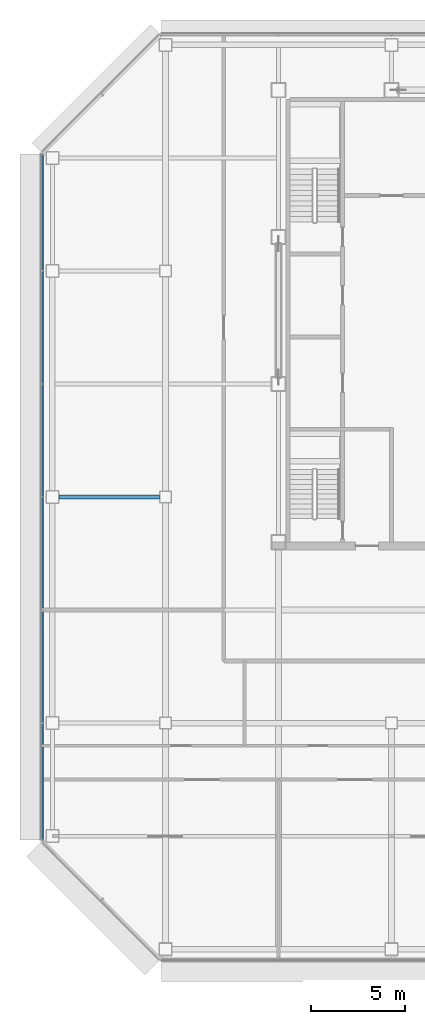
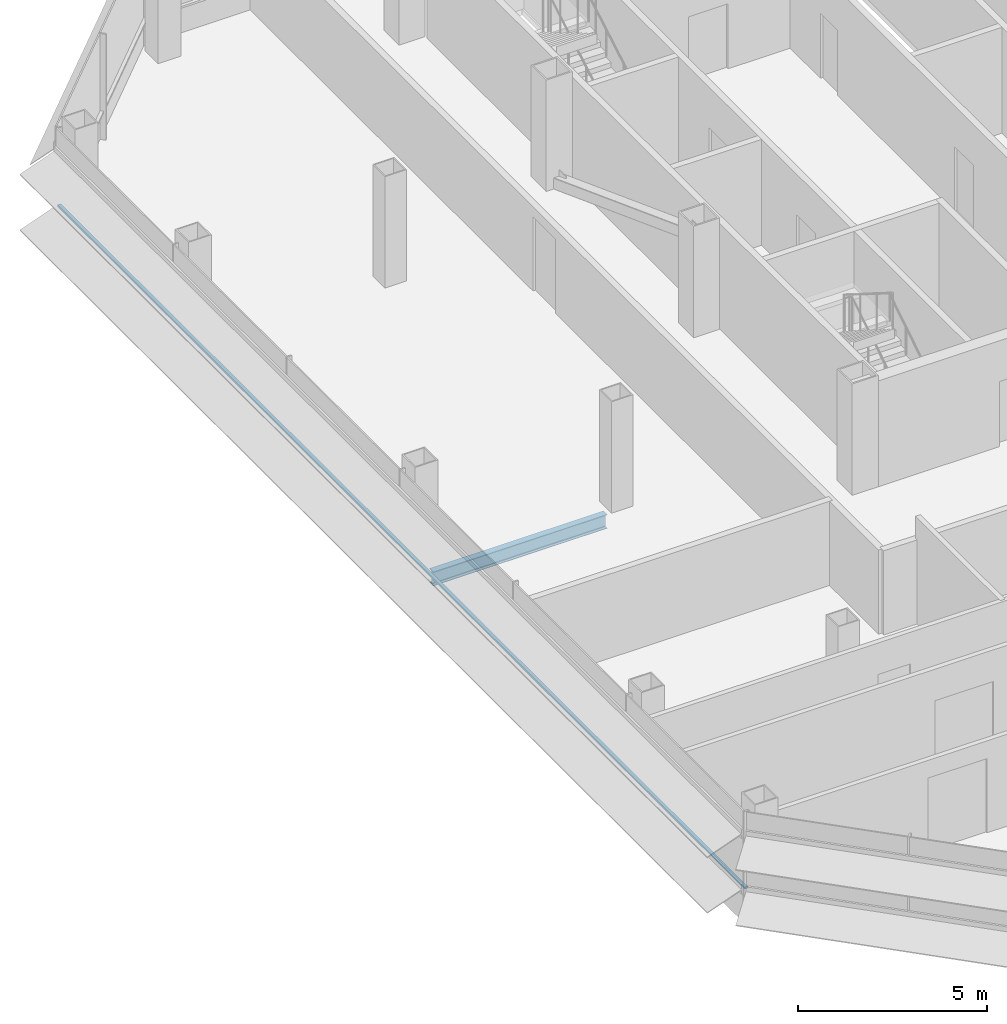
# One storey, part 5 of 24: 1 beam, 1 member, 1 element without a shape of its own.
"""IFC4 building model written with IfcOpenShell, lengths in metres."""

import ifcopenshell
import ifcopenshell.guid

model = None  # the IFC model being written
_history = None  # IfcOwnerHistory: only IFC2X3 demands one
_inside = {}  # id of a spatial element -> (the spatial element, [elements in it])
_under = {}  # id of a project, library or spatial element -> (it, [spatial elements below it])
_declared = {}  # id of a project -> (the project, [libraries it declares])
_typed = {}  # id of a type object -> (the type object, [elements of that type])
_made_of = {}  # id of a material, layer set ... -> (it, [elements and type objects made of it])


def new_model(schema):
    """Start an empty IFC model of exactly this schema.

    Asked for "IFC4X3", IfcOpenShell would pick the latest addendum, in which some entities
    have other attributes; the version numbers below select the first issue.
    IFC2X3 requires an IfcOwnerHistory on every rooted entity: one is made here for all.
    """
    global model, _history
    if schema == "IFC4X3":
        model = ifcopenshell.file(schema_version=(4, 3, 0, 0))
    else:
        model = ifcopenshell.file(schema=schema)
    _inside.clear()
    _under.clear()
    _declared.clear()
    _typed.clear()
    _made_of.clear()
    _history = None
    if model.schema == "IFC2X3":
        org = make("IfcOrganization", Name="unknown")
        user = make(
            "IfcPersonAndOrganization",
            ThePerson=make("IfcPerson", FamilyName="unknown"),
            TheOrganization=org,
        )
        app = make(
            "IfcApplication",
            ApplicationDeveloper=org,
            Version="unknown",
            ApplicationFullName="unknown",
            ApplicationIdentifier="unknown",
        )
        _history = make(
            "IfcOwnerHistory",
            OwningUser=user,
            OwningApplication=app,
            ChangeAction="ADDED",
            CreationDate=0,
        )
    return model


def make(cls, **values):
    """One entity of the class cls with the attributes given. An attribute that is None is left unset."""
    return model.create_entity(
        cls, **{name: value for name, value in values.items() if value is not None}
    )


def rooted(cls, **values):
    """An entity with a GlobalId (a new one), such as an element, a storey or a relation."""
    return make(cls, GlobalId=ifcopenshell.guid.new(), OwnerHistory=_history, **values)


def si_unit(unit_type, name, prefix=None):
    """IfcSIUnit, for example si_unit("LENGTHUNIT", "METRE", prefix="MILLI")."""
    return make("IfcSIUnit", UnitType=unit_type, Prefix=prefix, Name=name)


def assignment(units):
    """IfcUnitAssignment: the units of a project."""
    return None if units is None else make("IfcUnitAssignment", Units=units)


def point(xyz):
    """IfcCartesianPoint."""
    return None if xyz is None else make("IfcCartesianPoint", Coordinates=xyz)


def direction(xyz):
    """IfcDirection."""
    return None if xyz is None else make("IfcDirection", DirectionRatios=xyz)


def frame(location, z_axis=None, x_axis=None):
    """IfcAxis2Placement3D, a coordinate frame: its origin and axes. An axis left out is left unset."""
    return make(
        "IfcAxis2Placement3D",
        Location=point(location),
        Axis=direction(z_axis),
        RefDirection=direction(x_axis),
    )


def frame_2d(location, x_axis=None):
    """IfcAxis2Placement2D, a coordinate frame in the plane: its origin and x axis."""
    return make(
        "IfcAxis2Placement2D", Location=point(location), RefDirection=direction(x_axis)
    )


def origin():
    """The frame at (0, 0, 0) with its axes left unset."""
    return frame((0.0, 0.0, 0.0))


def origin_2d():
    """The frame at (0, 0) in the plane with its x axis left unset."""
    return frame_2d((0.0, 0.0))


def place(relative_to, where):
    """IfcLocalPlacement: puts the frame where relative to a parent placement (None: the world)."""
    return make(
        "IfcLocalPlacement", PlacementRelTo=relative_to, RelativePlacement=where
    )


def context(
    kind, dimensions, precision=None, world=None, true_north=None, identifier=None
):
    """IfcGeometricRepresentationContext, for example the 3D "Model" context."""
    return make(
        "IfcGeometricRepresentationContext",
        ContextIdentifier=identifier,
        ContextType=kind,
        CoordinateSpaceDimension=dimensions,
        Precision=precision,
        WorldCoordinateSystem=world,
        TrueNorth=true_north,
    )


def subcontext(parent, identifier, kind, view, scale=None):
    """IfcGeometricRepresentationSubContext, for example "Body" below "Model"."""
    return make(
        "IfcGeometricRepresentationSubContext",
        ContextIdentifier=identifier,
        ContextType=kind,
        ParentContext=parent,
        TargetScale=scale,
        TargetView=view,
    )


def project(units=None, contexts=None):
    """IfcProject with its units and contexts."""
    return rooted(
        "IfcProject",
        Name="project",
        RepresentationContexts=contexts,
        UnitsInContext=assignment(units),
    )


def spatial(cls, under=None, at=None, **own):
    """A site, building, storey or space (cls), placed at a placement, below another one or the project."""
    s = rooted(cls, ObjectPlacement=at, **own)
    if under is not None:
        _under.setdefault(under.id(), (under, []))[1].append(s)
    return s


def profile(cls, at=None, kind="AREA", **sizes):
    """A parametric profile (cls). Its sizes go by their IFC names, for example OverallWidth=200.0."""
    return make(cls, ProfileType=kind, Position=at, **sizes)


def rectangle(**sizes):
    """IfcRectangleProfileDef."""
    return profile("IfcRectangleProfileDef", **sizes)


def i_section(**sizes):
    """IfcIShapeProfileDef."""
    return profile("IfcIShapeProfileDef", **sizes)


def extrude(swept, where, along, depth):
    """IfcExtrudedAreaSolid: the profile swept, set in the frame where, extruded along a direction by depth."""
    return make(
        "IfcExtrudedAreaSolid",
        SweptArea=swept,
        Position=where,
        ExtrudedDirection=direction(along),
        Depth=depth,
    )


def shape(context_of_items, identifier, shape_type, items):
    """IfcShapeRepresentation: the items that make up one representation, for example the "Body"."""
    return make(
        "IfcShapeRepresentation",
        ContextOfItems=context_of_items,
        RepresentationIdentifier=identifier,
        RepresentationType=shape_type,
        Items=items,
    )


def material(Name=None, Category=None):
    """IfcMaterial."""
    return make("IfcMaterial", Name=Name, Category=Category)


def material_profile(
    of_material, cross_section, Name=None, Category=None, Priority=None
):
    """IfcMaterialProfile: a cross section and its material."""
    return make(
        "IfcMaterialProfile",
        Name=Name,
        Material=of_material,
        Profile=cross_section,
        Priority=Priority,
        Category=Category,
    )


def profile_set(profiles, Name=None, composite=None):
    """IfcMaterialProfileSet."""
    return make(
        "IfcMaterialProfileSet",
        Name=Name,
        MaterialProfiles=profiles,
        CompositeProfile=composite,
    )


def made_of(thing, what):
    """Note that an element or type object is made of a material, layer set ...; save() writes the relation."""
    if what is not None:
        _made_of.setdefault(what.id(), (what, []))[1].append(thing)
    return thing


def type_object(cls, material=None, **own):
    """A type object (cls), such as IfcWallType, which elements share."""
    return made_of(rooted(cls, **own), material)


def element(
    cls,
    number,
    at=None,
    inside=None,
    cuts=None,
    type_object=None,
    material=None,
    context=None,
    identifier="Body",
    shape_type=None,
    held_by="IfcProductDefinitionShape",
    body=None,
    shapes=None,
    **own,
):
    """One element of the class cls, such as IfcWall. Its Tag is "e" and its number.

    at: its placement. inside: the storey or other place that contains it. cuts: it is an
    opening in that element (IfcRelVoidsElement). A single representation is given by context,
    identifier, shape_type and body (its items); several are given by shapes. held_by: the class
    of the entity that holds the representations. save() writes the other relations.
    """
    e = rooted(cls, Tag="e%d" % number, ObjectPlacement=at, **own)
    if body is not None:
        shapes = [shape(context, identifier, shape_type, body)]
    if shapes is not None:
        e.Representation = make(held_by, Representations=shapes)
    if inside is not None:
        _inside.setdefault(inside.id(), (inside, []))[1].append(e)
    if cuts is not None:
        rooted(
            "IfcRelVoidsElement", RelatingBuildingElement=cuts, RelatedOpeningElement=e
        )
    if type_object is not None:
        _typed.setdefault(type_object.id(), (type_object, []))[1].append(e)
    return made_of(e, material)


def aggregate(whole, parts):
    """IfcRelAggregates: a whole, such as a stair, and the parts it consists of."""
    return rooted("IfcRelAggregates", RelatingObject=whole, RelatedObjects=parts)


def save(model, path):
    """Write the relations noted so far, then the file.

    IfcRelAggregates (storeys below a building ...), IfcRelContainedInSpatialStructure (elements
    in a storey), IfcRelDefinesByType, IfcRelAssociatesMaterial and IfcRelDeclares: one each for
    every whole, place, type object, material and project.
    """
    for whole, parts in _under.values():
        aggregate(whole, parts)
    for where, things in _inside.values():
        rooted(
            "IfcRelContainedInSpatialStructure",
            RelatedElements=things,
            RelatingStructure=where,
        )
    for kind, things in _typed.values():
        rooted("IfcRelDefinesByType", RelatedObjects=things, RelatingType=kind)
    for what, things in _made_of.values():
        rooted("IfcRelAssociatesMaterial", RelatedObjects=things, RelatingMaterial=what)
    for by, libraries in _declared.values():
        rooted("IfcRelDeclares", RelatingContext=by, RelatedDefinitions=libraries)
    model.write(path)


model = new_model("IFC4")

# Units and contexts
model_context = context("Model", 3, precision=1e-05, world=origin(), true_north=direction((0.0, 1.0)))
body_context = subcontext(model_context, "Body", "Model", "MODEL_VIEW")
ifc_project = project(units=[si_unit("LENGTHUNIT", "METRE"), si_unit("AREAUNIT", "SQUARE_METRE"), si_unit("VOLUMEUNIT", "CUBIC_METRE"), si_unit("PLANEANGLEUNIT", "RADIAN"), si_unit("MASSUNIT", "GRAM", prefix="KILO")], contexts=[model_context])

# Site, building, storey
site_placement = place(None, origin())
site = spatial("IfcSite", under=ifc_project, at=site_placement, CompositionType="ELEMENT")
building_placement = place(site_placement, origin())
building = spatial("IfcBuilding", under=site, at=building_placement, Name="Sorahane Residences", CompositionType="ELEMENT")
storey_placement = place(building_placement, frame((0.0, 0.0, 170.800048828125)))
storey = spatial("IfcBuildingStorey", under=building, at=storey_placement, Name="L39", CompositionType="ELEMENT", Elevation=170.800048828125)

# Curtain wall, member
ifc_material_1 = material(Name="Dark low-e glass and black anodised aluminium", Category="aluminium")
curtain_wall_type = type_object("IfcCurtainWallType", Name="Curtain wall CW-1 Typical unitised wall", PredefinedType="NOTDEFINED", material=ifc_material_1)
curtain_wall_placement = place(storey_placement, origin())
curtain_wall = element("IfcCurtainWall", 1, at=curtain_wall_placement, inside=storey, type_object=curtain_wall_type, Name="CW-1 curtain wall L39 W1", PredefinedType="NOTDEFINED")
ifc_material_2 = material(Name="Black anodised aluminium", Category="aluminium")
ifc_material_profile_1 = material_profile(ifc_material_2, rectangle(XDim=0.10009765625, YDim=0.06005859375, at=origin_2d()), Name="Curtain wall transom CW-1 black anodised aluminium 60x100")
ifc_profile_set_1 = profile_set([ifc_material_profile_1], Name="Black anodised aluminium")
member_type = type_object("IfcMemberType", Name="Curtain wall transom CW-1 black anodised aluminium 60x100", PredefinedType="USERDEFINED", material=ifc_profile_set_1)
member_placement = place(storey_placement, frame((-6.530029296875, 42.198486328125, 0.89990234375), z_axis=(0.0, -1.0, 0.0), x_axis=(1.0, 0.0, 0.0)))
member = element("IfcMember", 2, at=member_placement, type_object=member_type, Name="CW-1 transom L39 W1", ObjectType="TRANSOM", PredefinedType="USERDEFINED", context=body_context, shape_type="SweptSolid", body=[
    extrude(rectangle(XDim=0.10009765625, YDim=0.06005859375, at=origin_2d()), origin(), (0.0, 0.0, 1.0), 36.39697265625),
])
aggregate(curtain_wall, [member])

# Beam
ifc_material_3 = material(Name="Steel Q355B", Category="steel")
ifc_material_profile_2 = material_profile(ifc_material_3, i_section(OverallWidth=0.199951171875, OverallDepth=0.449951171875, WebThickness=0.009033203125, FlangeThickness=0.013916015625, FilletRadius=0.02001953125, at=origin_2d()), Name="HN 450x200x9x14")
ifc_profile_set_2 = profile_set([ifc_material_profile_2], Name="Steel Q355B")
beam_type = type_object("IfcBeamType", Name="Steel floor beam HN 450x200x9x14 Q355B", PredefinedType="BEAM", material=ifc_profile_set_2)
beam_placement = place(storey_placement, frame((-5.64990234375, 24.0, -0.405029296875), z_axis=(1.0, 0.0, 0.0), x_axis=(0.0, 1.0, 0.0)))
element("IfcBeam", 3, at=beam_placement, inside=storey, type_object=beam_type, Name="Beam L39 011", PredefinedType="BEAM", context=body_context, shape_type="SweptSolid", body=[
    extrude(i_section(OverallWidth=0.199951171875, OverallDepth=0.449951171875, WebThickness=0.009033203125, FlangeThickness=0.013916015625, FilletRadius=0.02001953125, at=origin_2d()), origin(), (0.0, 0.0, 1.0), 5.324951171875),
])

save(model, "model.ifc")
